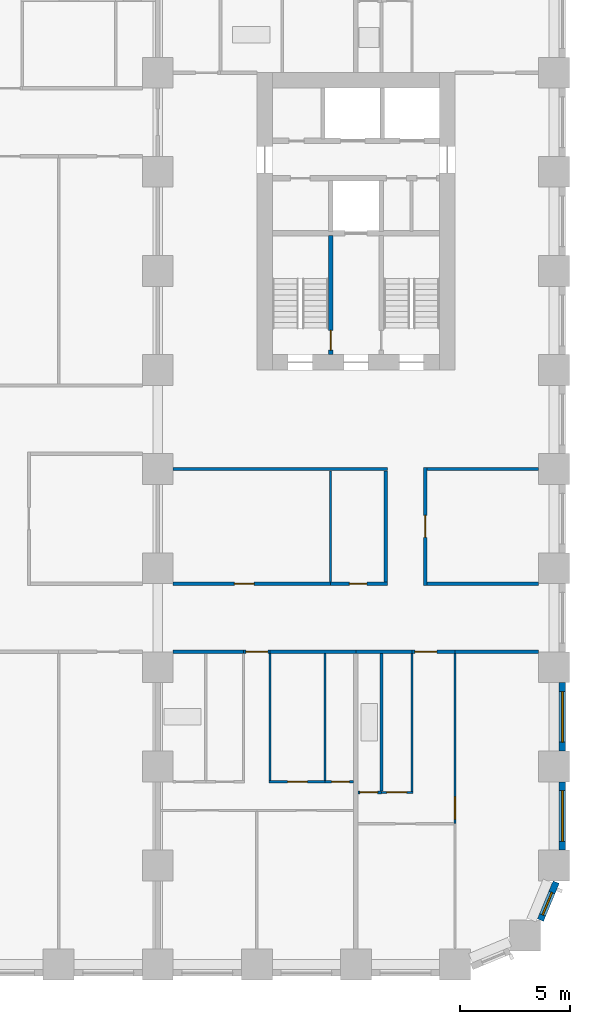
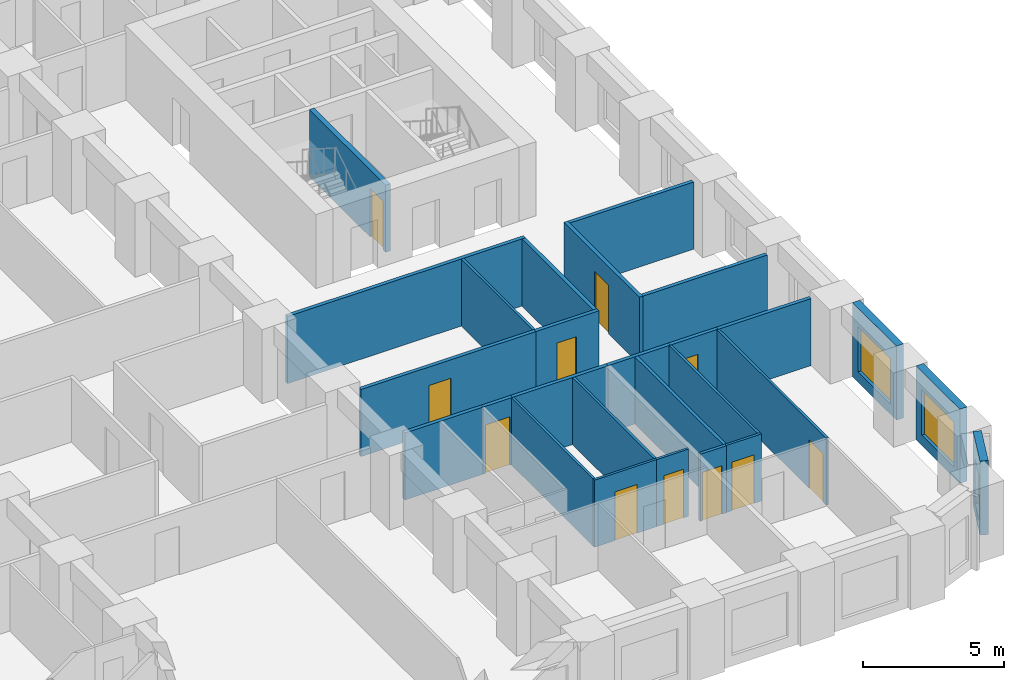
# One storey, part 5 of 13: 27 walls, 11 doors, 3 windows, 14 openings.
"""IFC4 building model written with IfcOpenShell, lengths in metres."""

from ifc_helpers import new_model, si_unit, direction, frame, frame_2d, origin, place, context, subcontext, project, spatial, rectangle, extrude, material, layer, layer_set, type_object, element, fill, save


model = new_model("IFC4")

# Units and contexts
model_context = context("Model", 3, precision=1e-05, world=origin(), true_north=direction((0.0, 1.0)))
body_context = subcontext(model_context, "Body", "Model", "MODEL_VIEW")
ifc_project = project(units=[si_unit("LENGTHUNIT", "METRE"), si_unit("AREAUNIT", "SQUARE_METRE"), si_unit("VOLUMEUNIT", "CUBIC_METRE"), si_unit("PLANEANGLEUNIT", "RADIAN"), si_unit("MASSUNIT", "GRAM", prefix="KILO")], contexts=[model_context])

# Site, building, storey
site_placement = place(None, origin())
site = spatial("IfcSite", under=ifc_project, at=site_placement, CompositionType="ELEMENT")
building_placement = place(site_placement, origin())
building = spatial("IfcBuilding", under=site, at=building_placement, Name="Girih Gate Residences", CompositionType="ELEMENT")
storey_placement = place(building_placement, frame((0.0, 0.0, 56.0)))
storey = spatial("IfcBuildingStorey", under=building, at=storey_placement, Name="L14", CompositionType="ELEMENT", Elevation=56.0)

# Wall
ifc_material_1 = material(Name="Gypsum board on steel studs", Category="steel")
ifc_layer_1 = layer(ifc_material_1, 0.14990234375)
ifc_layer_set_1 = layer_set([ifc_layer_1], Name="Compartment wall 150 mm")
wall_type_1 = type_object("IfcWallType", Name="Compartment wall 150 mm", PredefinedType="PARTITIONING", material=ifc_layer_set_1)
wall_1_placement = place(storey_placement, frame((40.5, 14.199951171875, 0.0), z_axis=(0.0, 0.0, 1.0), x_axis=(1.0, 0.0, 0.0)))
element("IfcWall", 1, at=wall_1_placement, inside=storey, type_object=wall_type_1, Name="L14 partition", PredefinedType="PARTITIONING", context=body_context, shape_type="SweptSolid", body=[
    extrude(rectangle(XDim=2.550048828125, YDim=0.14990234375, at=frame_2d((1.27490234375, 0.0))), origin(), (0.0, 0.0, 1.0), 2.89990234375),
])

# Wall, opening, door
wall_2_placement = place(storey_placement, frame((45.0, 14.199951171875, 0.0), z_axis=(0.0, 0.0, 1.0), x_axis=(-1.0, 0.0, 0.0)))
wall_2 = element("IfcWall", 2, at=wall_2_placement, inside=storey, type_object=wall_type_1, Name="L14 partition", PredefinedType="PARTITIONING", context=body_context, shape_type="SweptSolid", body=[
    extrude(rectangle(XDim=1.949951171875, YDim=0.14990234375, at=frame_2d((0.97509765625, 0.0))), origin(), (0.0, 0.0, 1.0), 2.89990234375),
])
opening_1_placement = place(wall_2_placement, frame((0.820068359375, 0.0, 0.0)))
opening_1 = element("IfcOpeningElement", 3, at=opening_1_placement, cuts=wall_2, Name="Opening A14-021", PredefinedType="OPENING", context=body_context, shape_type="SweptSolid", body=[
    extrude(rectangle(XDim=1.0, YDim=2.10009765625, at=frame_2d((0.5, 1.050048828125))), frame((0.0, 0.0849609375, 0.0), z_axis=(0.0, -1.0, 0.0), x_axis=(1.0, 0.0, 0.0)), (0.0, 0.0, 1.0), 0.169921875),
])
ifc_material_2 = material(Name="Timber, fire-rated core", Category="wood")
door_type_1 = type_object("IfcDoorType", Name="Flat entrance door 1000x2100 FD30S", OperationType="NOTDEFINED", PredefinedType="DOOR", material=ifc_material_2)
door_1_placement = place(opening_1_placement, origin())
door_1 = element("IfcDoor", 4, at=door_1_placement, inside=storey, type_object=door_type_1, Name="Door A14-021", OperationType="SINGLE_SWING_RIGHT", OverallHeight=2.10009765625, OverallWidth=1.0, PredefinedType="DOOR", context=body_context, shape_type="SweptSolid", body=[
    extrude(rectangle(XDim=1.0, YDim=2.10009765625, at=frame_2d((0.5, 1.050048828125))), frame((0.0, 0.02490234375, 0.0), z_axis=(0.0, -1.0, 0.0), x_axis=(1.0, 0.0, 0.0)), (0.0, 0.0, 1.0), 0.050048828125),
])
fill(opening_1, door_1)

# Walls
wall_3_placement = place(storey_placement, frame((45.0, 14.199951171875, 0.0), z_axis=(0.0, 0.0, 1.0), x_axis=(1.0, 0.0, 0.0)))
element("IfcWall", 5, at=wall_3_placement, inside=storey, type_object=wall_type_1, Name="L14 partition", PredefinedType="PARTITIONING", context=body_context, shape_type="SweptSolid", body=[
    extrude(rectangle(XDim=3.800048828125, YDim=0.14990234375, at=frame_2d((1.89990234375, 0.0))), origin(), (0.0, 0.0, 1.0), 2.89990234375),
])
wall_4_placement = place(storey_placement, frame((32.199951171875, 14.199951171875, 0.0), z_axis=(0.0, 0.0, 1.0), x_axis=(1.0, 0.0, 0.0)))
element("IfcWall", 6, at=wall_4_placement, inside=storey, type_object=wall_type_1, Name="L14 partition", PredefinedType="PARTITIONING", context=body_context, shape_type="SweptSolid", body=[
    extrude(rectangle(XDim=3.199951171875, YDim=0.14990234375, at=frame_2d((1.60009765625, 0.0))), origin(), (0.0, 0.0, 1.0), 2.89990234375),
])

# Wall, opening, door
wall_5_placement = place(storey_placement, frame((36.60009765625, 14.199951171875, 0.0), z_axis=(0.0, 0.0, 1.0), x_axis=(-1.0, 0.0, 0.0)))
wall_5 = element("IfcWall", 7, at=wall_5_placement, inside=storey, type_object=wall_type_1, Name="L14 partition", PredefinedType="PARTITIONING", context=body_context, shape_type="SweptSolid", body=[
    extrude(rectangle(XDim=1.2001953125, YDim=0.14990234375, at=frame_2d((0.60009765625, 0.0))), origin(), (0.0, 0.0, 1.0), 2.89990234375),
])
opening_2_placement = place(wall_5_placement, frame((0.10009765625, 0.0, 0.0)))
opening_2 = element("IfcOpeningElement", 8, at=opening_2_placement, cuts=wall_5, Name="Opening A14-028", PredefinedType="OPENING", context=body_context, shape_type="SweptSolid", body=[
    extrude(rectangle(XDim=1.0, YDim=2.10009765625, at=frame_2d((0.5, 1.050048828125))), frame((0.0, 0.0849609375, 0.0), z_axis=(0.0, -1.0, 0.0), x_axis=(1.0, 0.0, 0.0)), (0.0, 0.0, 1.0), 0.169921875),
])
door_2_placement = place(opening_2_placement, origin())
door_2 = element("IfcDoor", 9, at=door_2_placement, inside=storey, type_object=door_type_1, Name="Door A14-028", OperationType="SINGLE_SWING_RIGHT", OverallHeight=2.10009765625, OverallWidth=1.0, PredefinedType="DOOR", context=body_context, shape_type="SweptSolid", body=[
    extrude(rectangle(XDim=1.0, YDim=2.10009765625, at=frame_2d((0.5, 1.050048828125))), frame((0.0, 0.02490234375, 0.0), z_axis=(0.0, -1.0, 0.0), x_axis=(1.0, 0.0, 0.0)), (0.0, 0.0, 1.0), 0.050048828125),
])
fill(opening_2, door_2)

# Wall
wall_6_placement = place(storey_placement, frame((36.60009765625, 14.199951171875, 0.0), z_axis=(0.0, 0.0, 1.0), x_axis=(1.0, 0.0, 0.0)))
element("IfcWall", 10, at=wall_6_placement, inside=storey, type_object=wall_type_1, Name="L14 partition", PredefinedType="PARTITIONING", context=body_context, shape_type="SweptSolid", body=[
    extrude(rectangle(XDim=3.89990234375, YDim=0.14990234375, at=frame_2d((1.949951171875, 0.0))), origin(), (0.0, 0.0, 1.0), 2.89990234375),
])

# Wall, opening, door
wall_7_placement = place(storey_placement, frame((32.199951171875, 17.300048828125, 0.0), z_axis=(0.0, 0.0, 1.0), x_axis=(1.0, 0.0, 0.0)))
wall_7 = element("IfcWall", 11, at=wall_7_placement, inside=storey, type_object=wall_type_1, Name="L14 partition", PredefinedType="PARTITIONING", context=body_context, shape_type="SweptSolid", body=[
    extrude(rectangle(XDim=7.150146484375, YDim=0.14990234375, at=frame_2d((3.5751953125, 0.0))), origin(), (0.0, 0.0, 1.0), 2.89990234375),
])
opening_3_placement = place(wall_7_placement, frame((2.77490234375, 0.0, 0.0)))
opening_3 = element("IfcOpeningElement", 12, at=opening_3_placement, cuts=wall_7, Name="Opening A14-056", PredefinedType="OPENING", context=body_context, shape_type="SweptSolid", body=[
    extrude(rectangle(XDim=0.89990234375, YDim=2.10009765625, at=frame_2d((0.449951171875, 1.050048828125))), frame((0.0, 0.0849609375, 0.0), z_axis=(0.0, -1.0, 0.0), x_axis=(1.0, 0.0, 0.0)), (0.0, 0.0, 1.0), 0.169921875),
])
ifc_material_3 = material(Name="Timber", Category="wood")
door_type_2 = type_object("IfcDoorType", Name="Service room door 900x2100", OperationType="NOTDEFINED", PredefinedType="DOOR", material=ifc_material_3)
door_3_placement = place(opening_3_placement, origin())
door_3 = element("IfcDoor", 13, at=door_3_placement, inside=storey, type_object=door_type_2, Name="Door A14-056", OperationType="SINGLE_SWING_LEFT", OverallHeight=2.10009765625, OverallWidth=0.89990234375, PredefinedType="DOOR", context=body_context, shape_type="SweptSolid", body=[
    extrude(rectangle(XDim=0.89990234375, YDim=2.10009765625, at=frame_2d((0.449951171875, 1.050048828125))), frame((0.0, 0.02490234375, 0.0), z_axis=(0.0, -1.0, 0.0), x_axis=(1.0, 0.0, 0.0)), (0.0, 0.0, 1.0), 0.050048828125),
])
fill(opening_3, door_3)

wall_8_placement = place(storey_placement, frame((39.35009765625, 17.300048828125, 0.0), z_axis=(0.0, 0.0, 1.0), x_axis=(1.0, 0.0, 0.0)))
wall_8 = element("IfcWall", 14, at=wall_8_placement, inside=storey, type_object=wall_type_1, Name="L14 partition", PredefinedType="PARTITIONING", context=body_context, shape_type="SweptSolid", body=[
    extrude(rectangle(XDim=2.574951171875, YDim=0.14990234375, at=frame_2d((1.28759765625, 0.0))), origin(), (0.0, 0.0, 1.0), 2.89990234375),
])
opening_4_placement = place(wall_8_placement, frame((0.85009765625, 0.0, 0.0)))
opening_4 = element("IfcOpeningElement", 15, at=opening_4_placement, cuts=wall_8, Name="Opening A14-058", PredefinedType="OPENING", context=body_context, shape_type="SweptSolid", body=[
    extrude(rectangle(XDim=0.800048828125, YDim=2.10009765625, at=frame_2d((0.39990234375, 1.050048828125))), frame((0.0, 0.0849609375, 0.0), z_axis=(0.0, -1.0, 0.0), x_axis=(1.0, 0.0, 0.0)), (0.0, 0.0, 1.0), 0.169921875),
])
door_type_3 = type_object("IfcDoorType", Name="Bathroom door 800x2100", OperationType="NOTDEFINED", PredefinedType="DOOR", material=ifc_material_3)
door_4_placement = place(opening_4_placement, origin())
door_4 = element("IfcDoor", 16, at=door_4_placement, inside=storey, type_object=door_type_3, Name="Door A14-058", OperationType="SINGLE_SWING_LEFT", OverallHeight=2.10009765625, OverallWidth=0.800048828125, PredefinedType="DOOR", context=body_context, shape_type="SweptSolid", body=[
    extrude(rectangle(XDim=0.800048828125, YDim=2.10009765625, at=frame_2d((0.39990234375, 1.050048828125))), frame((0.0, 0.02490234375, 0.0), z_axis=(0.0, -1.0, 0.0), x_axis=(1.0, 0.0, 0.0)), (0.0, 0.0, 1.0), 0.050048828125),
])
fill(opening_4, door_4)

# Walls
wall_9_placement = place(storey_placement, frame((43.72509765625, 17.300048828125, 0.0), z_axis=(0.0, 0.0, 1.0), x_axis=(1.0, 0.0, 0.0)))
element("IfcWall", 17, at=wall_9_placement, inside=storey, type_object=wall_type_1, Name="L14 partition", PredefinedType="PARTITIONING", context=body_context, shape_type="SweptSolid", body=[
    extrude(rectangle(XDim=5.074951171875, YDim=0.14990234375, at=frame_2d((2.53759765625, 0.0))), origin(), (0.0, 0.0, 1.0), 2.89990234375),
])
wall_10_placement = place(storey_placement, frame((32.199951171875, 22.5, 0.0), z_axis=(0.0, 0.0, 1.0), x_axis=(1.0, 0.0, 0.0)))
element("IfcWall", 18, at=wall_10_placement, inside=storey, type_object=wall_type_1, Name="L14 partition", PredefinedType="PARTITIONING", context=body_context, shape_type="SweptSolid", body=[
    extrude(rectangle(XDim=9.72509765625, YDim=0.14990234375, at=frame_2d((4.862548828125, 0.0))), origin(), (0.0, 0.0, 1.0), 2.89990234375),
])
wall_11_placement = place(storey_placement, frame((43.72509765625, 22.5, 0.0), z_axis=(0.0, 0.0, 1.0), x_axis=(1.0, 0.0, 0.0)))
element("IfcWall", 19, at=wall_11_placement, inside=storey, type_object=wall_type_1, Name="L14 partition", PredefinedType="PARTITIONING", context=body_context, shape_type="SweptSolid", body=[
    extrude(rectangle(XDim=5.074951171875, YDim=0.14990234375, at=frame_2d((2.53759765625, 0.0))), origin(), (0.0, 0.0, 1.0), 2.89990234375),
])
wall_12_placement = place(storey_placement, frame((41.85009765625, 17.375, 0.0), z_axis=(0.0, 0.0, 1.0), x_axis=(0.0, 1.0, 0.0)))
element("IfcWall", 20, at=wall_12_placement, inside=storey, type_object=wall_type_1, Name="L14 partition", PredefinedType="PARTITIONING", context=body_context, shape_type="SweptSolid", body=[
    extrude(rectangle(XDim=5.050048828125, YDim=0.14990234375, at=frame_2d((2.52490234375, 0.0))), origin(), (0.0, 0.0, 1.0), 2.89990234375),
])

# Wall, opening, door
wall_13_placement = place(storey_placement, frame((43.64990234375, 22.574951171875, 0.0), z_axis=(0.0, 0.0, 1.0), x_axis=(0.0, -1.0, 0.0)))
wall_13 = element("IfcWall", 21, at=wall_13_placement, inside=storey, type_object=wall_type_1, Name="L14 partition", PredefinedType="PARTITIONING", context=body_context, shape_type="SweptSolid", body=[
    extrude(rectangle(XDim=5.349853515625, YDim=0.14990234375, at=frame_2d((2.6748046875, 0.0))), origin(), (0.0, 0.0, 1.0), 2.89990234375),
])
opening_5_placement = place(wall_13_placement, frame((2.175048828125, 0.0, 0.0)))
opening_5 = element("IfcOpeningElement", 22, at=opening_5_placement, cuts=wall_13, Name="Opening A14-060", PredefinedType="OPENING", context=body_context, shape_type="SweptSolid", body=[
    extrude(rectangle(XDim=1.0, YDim=2.10009765625, at=frame_2d((0.5, 1.050048828125))), frame((0.0, 0.0849609375, 0.0), z_axis=(0.0, -1.0, 0.0), x_axis=(1.0, 0.0, 0.0)), (0.0, 0.0, 1.0), 0.169921875),
])
door_type_4 = type_object("IfcDoorType", Name="Amenity room door 1000x2100 FD30S", OperationType="NOTDEFINED", PredefinedType="DOOR", material=ifc_material_2)
door_5_placement = place(opening_5_placement, origin())
door_5 = element("IfcDoor", 23, at=door_5_placement, inside=storey, type_object=door_type_4, Name="Door A14-060", OperationType="SINGLE_SWING_RIGHT", OverallHeight=2.10009765625, OverallWidth=1.0, PredefinedType="DOOR", context=body_context, shape_type="SweptSolid", body=[
    extrude(rectangle(XDim=1.0, YDim=2.10009765625, at=frame_2d((0.5, 1.050048828125))), frame((0.0, 0.02490234375, 0.0), z_axis=(0.0, -1.0, 0.0), x_axis=(1.0, 0.0, 0.0)), (0.0, 0.0, 1.0), 0.050048828125),
])
fill(opening_5, door_5)

ifc_layer_2 = layer(ifc_material_1, 0.10009765625)
ifc_layer_set_2 = layer_set([ifc_layer_2], Name="Partition 100 mm")
wall_type_2 = type_object("IfcWallType", Name="Partition 100 mm", PredefinedType="PARTITIONING", material=ifc_layer_set_2)
wall_14_placement = place(storey_placement, frame((41.6591796875, 7.820068359375, 0.0), z_axis=(0.0, 0.0, 1.0), x_axis=(1.0, 0.0, 0.0)))
wall_14 = element("IfcWall", 24, at=wall_14_placement, inside=storey, type_object=wall_type_2, Name="L14 partition", PredefinedType="PARTITIONING", context=body_context, shape_type="SweptSolid", body=[
    extrude(rectangle(XDim=1.44091796875, YDim=0.10009765625, at=frame_2d((0.720458984375, 0.0))), origin(), (0.0, 0.0, 1.0), 2.89990234375),
])
opening_6_placement = place(wall_14_placement, frame((0.24560546875, 0.0, 0.0)))
opening_6 = element("IfcOpeningElement", 25, at=opening_6_placement, cuts=wall_14, Name="Opening A14-019", PredefinedType="OPENING", context=body_context, shape_type="SweptSolid", body=[
    extrude(rectangle(XDim=0.89990234375, YDim=2.10009765625, at=frame_2d((0.449951171875, 1.050048828125))), frame((0.0, 0.06005859375, 0.0), z_axis=(0.0, -1.0, 0.0), x_axis=(1.0, 0.0, 0.0)), (0.0, 0.0, 1.0), 0.1201171875),
])
door_type_5 = type_object("IfcDoorType", Name="Kitchen door 900x2100", OperationType="NOTDEFINED", PredefinedType="DOOR", material=ifc_material_3)
door_6_placement = place(opening_6_placement, origin())
door_6 = element("IfcDoor", 26, at=door_6_placement, inside=storey, type_object=door_type_5, Name="Door A14-019", OperationType="SINGLE_SWING_LEFT", OverallHeight=2.10009765625, OverallWidth=0.89990234375, PredefinedType="DOOR", context=body_context, shape_type="SweptSolid", body=[
    extrude(rectangle(XDim=0.89990234375, YDim=2.10009765625, at=frame_2d((0.449951171875, 1.050048828125))), frame((0.0, 0.02490234375, 0.0), z_axis=(0.0, -1.0, 0.0), x_axis=(1.0, 0.0, 0.0)), (0.0, 0.0, 1.0), 0.050048828125),
])
fill(opening_6, door_6)

# Wall
wall_15_placement = place(storey_placement, frame((43.050048828125, 7.8701171875, 0.0), z_axis=(0.0, 0.0, 1.0), x_axis=(0.0, 1.0, 0.0)))
element("IfcWall", 27, at=wall_15_placement, inside=storey, type_object=wall_type_2, Name="L14 partition", PredefinedType="PARTITIONING", context=body_context, shape_type="SweptSolid", body=[
    extrude(rectangle(XDim=6.2548828125, YDim=0.10009765625, at=frame_2d((3.12744140625, 0.0))), origin(), (0.0, 0.0, 1.0), 2.89990234375),
])

# Wall, opening, door
wall_16_placement = place(storey_placement, frame((45.0, 14.125, 0.0), z_axis=(0.0, 0.0, 1.0), x_axis=(0.0, -1.0, 0.0)))
wall_16 = element("IfcWall", 28, at=wall_16_placement, inside=storey, type_object=wall_type_2, Name="L14 partition", PredefinedType="PARTITIONING", context=body_context, shape_type="SweptSolid", body=[
    extrude(rectangle(XDim=7.72509765625, YDim=0.10009765625, at=frame_2d((3.862548828125, 0.0))), origin(), (0.0, 0.0, 1.0), 2.89990234375),
])
opening_7_placement = place(wall_16_placement, frame((6.514892578125, 0.0, 0.0)))
opening_7 = element("IfcOpeningElement", 29, at=opening_7_placement, cuts=wall_16, Name="Opening A14-020", PredefinedType="OPENING", context=body_context, shape_type="SweptSolid", body=[
    extrude(rectangle(XDim=1.0, YDim=2.10009765625, at=frame_2d((0.5, 1.050048828125))), frame((0.0, 0.06005859375, 0.0), z_axis=(0.0, -1.0, 0.0), x_axis=(1.0, 0.0, 0.0)), (0.0, 0.0, 1.0), 0.1201171875),
])
door_type_6 = type_object("IfcDoorType", Name="Living room door 1000x2100", OperationType="NOTDEFINED", PredefinedType="DOOR", material=ifc_material_3)
door_7_placement = place(opening_7_placement, origin())
door_7 = element("IfcDoor", 30, at=door_7_placement, inside=storey, type_object=door_type_6, Name="Door A14-020", OperationType="SINGLE_SWING_RIGHT", OverallHeight=2.10009765625, OverallWidth=1.0, PredefinedType="DOOR", context=body_context, shape_type="SweptSolid", body=[
    extrude(rectangle(XDim=1.0, YDim=2.10009765625, at=frame_2d((0.5, 1.050048828125))), frame((0.0, 0.02490234375, 0.0), z_axis=(0.0, -1.0, 0.0), x_axis=(1.0, 0.0, 0.0)), (0.0, 0.0, 1.0), 0.050048828125),
])
fill(opening_7, door_7)

# Wall
wall_17_placement = place(storey_placement, frame((36.60009765625, 8.35009765625, 0.0), z_axis=(0.0, 0.0, 1.0), x_axis=(0.0, 1.0, 0.0)))
element("IfcWall", 31, at=wall_17_placement, inside=storey, type_object=wall_type_2, Name="L14 partition", PredefinedType="PARTITIONING", context=body_context, shape_type="SweptSolid", body=[
    extrude(rectangle(XDim=5.77490234375, YDim=0.10009765625, at=frame_2d((2.887451171875, 0.0))), origin(), (0.0, 0.0, 1.0), 2.89990234375),
])

# Wall, opening, door
wall_18_placement = place(storey_placement, frame((36.550048828125, 8.300048828125, 0.0), z_axis=(0.0, 0.0, 1.0), x_axis=(1.0, 0.0, 0.0)))
wall_18 = element("IfcWall", 32, at=wall_18_placement, inside=storey, type_object=wall_type_2, Name="L14 partition", PredefinedType="PARTITIONING", context=body_context, shape_type="SweptSolid", body=[
    extrude(rectangle(XDim=2.54931640625, YDim=0.10009765625, at=frame_2d((1.274658203125, 0.0))), origin(), (0.0, 0.0, 1.0), 2.89990234375),
])
opening_8_placement = place(wall_18_placement, frame((0.849609375, 0.0, 0.0)))
opening_8 = element("IfcOpeningElement", 33, at=opening_8_placement, cuts=wall_18, Name="Opening A14-024", PredefinedType="OPENING", context=body_context, shape_type="SweptSolid", body=[
    extrude(rectangle(XDim=0.89990234375, YDim=2.10009765625, at=frame_2d((0.449951171875, 1.050048828125))), frame((0.0, 0.06005859375, 0.0), z_axis=(0.0, -1.0, 0.0), x_axis=(1.0, 0.0, 0.0)), (0.0, 0.0, 1.0), 0.1201171875),
])
door_8_placement = place(opening_8_placement, origin())
door_8 = element("IfcDoor", 34, at=door_8_placement, inside=storey, type_object=door_type_5, Name="Door A14-024", OperationType="SINGLE_SWING_RIGHT", OverallHeight=2.10009765625, OverallWidth=0.89990234375, PredefinedType="DOOR", context=body_context, shape_type="SweptSolid", body=[
    extrude(rectangle(XDim=0.89990234375, YDim=2.10009765625, at=frame_2d((0.449951171875, 1.050048828125))), frame((0.0, 0.02490234375, 0.0), z_axis=(0.0, -1.0, 0.0), x_axis=(1.0, 0.0, 0.0)), (0.0, 0.0, 1.0), 0.050048828125),
])
fill(opening_8, door_8)

wall_19_placement = place(storey_placement, frame((39.099365234375, 8.300048828125, 0.0), z_axis=(0.0, 0.0, 1.0), x_axis=(1.0, 0.0, 0.0)))
wall_19 = element("IfcWall", 35, at=wall_19_placement, inside=storey, type_object=wall_type_2, Name="L14 partition", PredefinedType="PARTITIONING", context=body_context, shape_type="SweptSolid", body=[
    extrude(rectangle(XDim=1.300537109375, YDim=0.10009765625, at=frame_2d((0.650390625, 0.0))), origin(), (0.0, 0.0, 1.0), 2.89990234375),
])
opening_9_placement = place(wall_19_placement, frame((0.30029296875, 0.0, 0.0)))
opening_9 = element("IfcOpeningElement", 36, at=opening_9_placement, cuts=wall_19, Name="Opening A14-026", PredefinedType="OPENING", context=body_context, shape_type="SweptSolid", body=[
    extrude(rectangle(XDim=0.800048828125, YDim=2.10009765625, at=frame_2d((0.39990234375, 1.050048828125))), frame((0.0, 0.06005859375, 0.0), z_axis=(0.0, -1.0, 0.0), x_axis=(1.0, 0.0, 0.0)), (0.0, 0.0, 1.0), 0.1201171875),
])
door_type_7 = type_object("IfcDoorType", Name="Store door 800x2100", OperationType="NOTDEFINED", PredefinedType="DOOR", material=ifc_material_3)
door_9_placement = place(opening_9_placement, origin())
door_9 = element("IfcDoor", 37, at=door_9_placement, inside=storey, type_object=door_type_7, Name="Door A14-026", OperationType="SINGLE_SWING_RIGHT", OverallHeight=2.10009765625, OverallWidth=0.800048828125, PredefinedType="DOOR", context=body_context, shape_type="SweptSolid", body=[
    extrude(rectangle(XDim=0.800048828125, YDim=2.10009765625, at=frame_2d((0.39990234375, 1.050048828125))), frame((0.0, 0.02490234375, 0.0), z_axis=(0.0, -1.0, 0.0), x_axis=(1.0, 0.0, 0.0)), (0.0, 0.0, 1.0), 0.050048828125),
])
fill(opening_9, door_9)

# Walls
wall_20_placement = place(storey_placement, frame((39.09912109375, 8.35009765625, 0.0), z_axis=(0.0, 0.0, 1.0), x_axis=(0.0, 1.0, 0.0)))
element("IfcWall", 38, at=wall_20_placement, inside=storey, type_object=wall_type_2, Name="L14 partition", PredefinedType="PARTITIONING", context=body_context, shape_type="SweptSolid", body=[
    extrude(rectangle(XDim=5.77490234375, YDim=0.10009765625, at=frame_2d((2.887451171875, 0.0))), origin(), (0.0, 0.0, 1.0), 2.89990234375),
])
wall_21_placement = place(storey_placement, frame((39.35009765625, 17.375, 0.0), z_axis=(0.0, 0.0, 1.0), x_axis=(0.0, 1.0, 0.0)))
element("IfcWall", 39, at=wall_21_placement, inside=storey, type_object=wall_type_2, Name="L14 partition", PredefinedType="PARTITIONING", context=body_context, shape_type="SweptSolid", body=[
    extrude(rectangle(XDim=5.050048828125, YDim=0.10009765625, at=frame_2d((2.52490234375, 0.0))), origin(), (0.0, 0.0, 1.0), 2.89990234375),
])

# Wall, opening, window
ifc_material_4 = material(Name="Precast concrete C50/60", Category="concrete")
ifc_layer_3 = layer(ifc_material_4, 0.080078125, Name="Outer leaf")
ifc_material_5 = material(Name="Rigid PIR insulation")
ifc_layer_4 = layer(ifc_material_5, 0.14990234375, Name="Insulation")
ifc_material_6 = material(Name="Precast concrete C40/50", Category="concrete")
ifc_layer_5 = layer(ifc_material_6, 0.070068359375, Name="Inner leaf")
ifc_layer_set_3 = layer_set([ifc_layer_3, ifc_layer_4, ifc_layer_5], Name="Precast concrete C50/60 external wall 300")
wall_type_3 = type_object("IfcWallType", Name="Precast concrete C50/60 external wall 300", PredefinedType="SOLIDWALL", material=ifc_layer_set_3)
wall_22_placement = place(storey_placement, frame((49.59228515625, 3.74267578125, 0.0), z_axis=(0.0, 0.0, 1.0), x_axis=(-0.382737135771, -0.923857286003, 0.0)))
wall_22 = element("IfcWall", 40, at=wall_22_placement, inside=storey, type_object=wall_type_3, Name="External wall SE0482_0013.0", PredefinedType="SOLIDWALL", context=body_context, shape_type="SweptSolid", body=[
    extrude(rectangle(XDim=1.865234375, YDim=0.300048828125, at=frame_2d((0.9326171875, 0.0))), origin(), (0.0, 0.0, 1.0), 3.199951171875),
])
opening_10_placement = place(wall_22_placement, frame((0.507568359375, 0.0, 0.449951171875)))
opening_10 = element("IfcOpeningElement", 41, at=opening_10_placement, cuts=wall_22, Name="Opening W-2C", PredefinedType="OPENING", context=body_context, shape_type="SweptSolid", body=[
    extrude(rectangle(XDim=1.10009765625, YDim=1.949951171875, at=frame_2d((0.550048828125, 0.97509765625))), frame((0.0, 0.159912109375, 0.0), z_axis=(0.0, -1.0, 0.0), x_axis=(1.0, 0.0, 0.0)), (0.0, 0.0, 1.0), 0.320068359375),
])
ifc_material_7 = material(Name="Double glazing in aluminium frame", Category="aluminium")
window_type_1 = type_object("IfcWindowType", Name="Window W-2C 1100x1950", PartitioningType="SINGLE_PANEL", PredefinedType="WINDOW", material=ifc_material_7)
window_1_placement = place(opening_10_placement, origin())
window_1 = element("IfcWindow", 42, at=window_1_placement, inside=storey, type_object=window_type_1, Name="Window W-2C SE0482_0013.0", OverallHeight=1.949951171875, OverallWidth=1.10009765625, PartitioningType="SINGLE_PANEL", PredefinedType="WINDOW", context=body_context, shape_type="SweptSolid", body=[
    extrude(rectangle(XDim=1.10009765625, YDim=1.949951171875, at=frame_2d((0.550048828125, 0.97509765625))), frame((0.0, 0.030029296875, 0.0), z_axis=(0.0, -1.0, 0.0), x_axis=(1.0, 0.0, 0.0)), (0.0, 0.0, 1.0), 0.06005859375),
])
fill(opening_10, window_1)

wall_23_placement = place(storey_placement, frame((49.875, 8.300048828125, 0.0), z_axis=(0.0, 0.0, 1.0), x_axis=(0.0, -1.0, 0.0)))
wall_23 = element("IfcWall", 43, at=wall_23_placement, inside=storey, type_object=wall_type_3, Name="External wall E0495_0045.0", PredefinedType="SOLIDWALL", context=body_context, shape_type="SweptSolid", body=[
    extrude(rectangle(XDim=3.10009765625, YDim=0.300048828125, at=frame_2d((1.550048828125, 0.0))), origin(), (0.0, 0.0, 1.0), 3.199951171875),
])
opening_11_placement = place(wall_23_placement, frame((0.39990234375, 0.0, 0.449951171875)))
opening_11 = element("IfcOpeningElement", 44, at=opening_11_placement, cuts=wall_23, Name="Opening W-1", PredefinedType="OPENING", context=body_context, shape_type="SweptSolid", body=[
    extrude(rectangle(XDim=2.300048828125, YDim=1.949951171875, at=frame_2d((1.14990234375, 0.97509765625))), frame((0.0, 0.159912109375, 0.0), z_axis=(0.0, -1.0, 0.0), x_axis=(1.0, 0.0, 0.0)), (0.0, 0.0, 1.0), 0.320068359375),
])
window_type_2 = type_object("IfcWindowType", Name="Window W-1 2300x1950", PartitioningType="SINGLE_PANEL", PredefinedType="WINDOW", material=ifc_material_7)
window_2_placement = place(opening_11_placement, origin())
window_2 = element("IfcWindow", 45, at=window_2_placement, inside=storey, type_object=window_type_2, Name="Window W-1 E0495_0045.0", OverallHeight=1.949951171875, OverallWidth=2.300048828125, PartitioningType="SINGLE_PANEL", PredefinedType="WINDOW", context=body_context, shape_type="SweptSolid", body=[
    extrude(rectangle(XDim=2.300048828125, YDim=1.949951171875, at=frame_2d((1.14990234375, 0.97509765625))), frame((0.0, 0.030029296875, 0.0), z_axis=(0.0, -1.0, 0.0), x_axis=(1.0, 0.0, 0.0)), (0.0, 0.0, 1.0), 0.06005859375),
])
fill(opening_11, window_2)

wall_24_placement = place(storey_placement, frame((49.875, 12.800048828125, 0.0), z_axis=(0.0, 0.0, 1.0), x_axis=(0.0, -1.0, 0.0)))
wall_24 = element("IfcWall", 46, at=wall_24_placement, inside=storey, type_object=wall_type_3, Name="External wall E0495_0045.1", PredefinedType="SOLIDWALL", context=body_context, shape_type="SweptSolid", body=[
    extrude(rectangle(XDim=3.10009765625, YDim=0.300048828125, at=frame_2d((1.550048828125, 0.0))), origin(), (0.0, 0.0, 1.0), 3.199951171875),
])
opening_12_placement = place(wall_24_placement, frame((0.39990234375, 0.0, 0.449951171875)))
opening_12 = element("IfcOpeningElement", 47, at=opening_12_placement, cuts=wall_24, Name="Opening W-1", PredefinedType="OPENING", context=body_context, shape_type="SweptSolid", body=[
    extrude(rectangle(XDim=2.300048828125, YDim=1.949951171875, at=frame_2d((1.14990234375, 0.97509765625))), frame((0.0, 0.159912109375, 0.0), z_axis=(0.0, -1.0, 0.0), x_axis=(1.0, 0.0, 0.0)), (0.0, 0.0, 1.0), 0.320068359375),
])
window_3_placement = place(opening_12_placement, origin())
window_3 = element("IfcWindow", 48, at=window_3_placement, inside=storey, type_object=window_type_2, Name="Window W-1 E0495_0045.1", OverallHeight=1.949951171875, OverallWidth=2.300048828125, PartitioningType="SINGLE_PANEL", PredefinedType="WINDOW", context=body_context, shape_type="SweptSolid", body=[
    extrude(rectangle(XDim=2.300048828125, YDim=1.949951171875, at=frame_2d((1.14990234375, 0.97509765625))), frame((0.0, 0.030029296875, 0.0), z_axis=(0.0, -1.0, 0.0), x_axis=(1.0, 0.0, 0.0)), (0.0, 0.0, 1.0), 0.06005859375),
])
fill(opening_12, window_3)

# Wall, opening, door
ifc_material_8 = material(Name="Concrete C40/50", Category="concrete")
ifc_layer_6 = layer(ifc_material_8, 0.199951171875)
ifc_layer_set_4 = layer_set([ifc_layer_6], Name="Shaft wall 200")
wall_type_4 = type_object("IfcWallType", Name="Shaft wall 200", PredefinedType="SOLIDWALL", material=ifc_layer_set_4)
wall_25_placement = place(storey_placement, frame((39.35009765625, 27.699951171875, 0.0), z_axis=(0.0, 0.0, 1.0), x_axis=(0.0, 1.0, 0.0)))
wall_25 = element("IfcWall", 49, at=wall_25_placement, inside=storey, type_object=wall_type_4, Name="L14 E core wall V2a", PredefinedType="SOLIDWALL", context=body_context, shape_type="SweptSolid", body=[
    extrude(rectangle(XDim=5.400146484375, YDim=0.199951171875, at=frame_2d((2.7001953125, 0.0))), origin(), (0.0, 0.0, 1.0), 2.89990234375),
])
opening_13_placement = place(wall_25_placement, frame((0.199951171875, 0.0, 0.0)))
opening_13 = element("IfcOpeningElement", 50, at=opening_13_placement, cuts=wall_25, Name="Opening D-L14-E-002", PredefinedType="OPENING", context=body_context, shape_type="SweptSolid", body=[
    extrude(rectangle(XDim=0.89990234375, YDim=2.10009765625, at=frame_2d((0.449951171875, 1.050048828125))), frame((0.0, 0.10986328125, 0.0), z_axis=(0.0, -1.0, 0.0), x_axis=(1.0, 0.0, 0.0)), (0.0, 0.0, 1.0), 0.219970703125),
])
ifc_material_9 = material(Name="Painted steel, fire-resisting", Category="steel")
door_type_8 = type_object("IfcDoorType", Name="Fire door 900x2100", OperationType="SINGLE_SWING_LEFT", PredefinedType="DOOR", material=ifc_material_9)
door_10_placement = place(opening_13_placement, origin())
door_10 = element("IfcDoor", 51, at=door_10_placement, inside=storey, type_object=door_type_8, Name="L14 E door stair 2 to firefighting lobby", OperationType="SINGLE_SWING_LEFT", OverallHeight=2.10009765625, OverallWidth=0.89990234375, PredefinedType="DOOR", context=body_context, shape_type="SweptSolid", body=[
    extrude(rectangle(XDim=0.89990234375, YDim=2.10009765625, at=frame_2d((0.449951171875, 1.050048828125))), frame((0.0, 0.02490234375, 0.0), z_axis=(0.0, -1.0, 0.0), x_axis=(1.0, 0.0, 0.0)), (0.0, 0.0, 1.0), 0.050048828125),
])
fill(opening_13, door_10)

ifc_layer_7 = layer(ifc_material_1, 0.125)
ifc_layer_set_5 = layer_set([ifc_layer_7], Name="Wet room wall 125 mm")
wall_type_5 = type_object("IfcWallType", Name="Wet room wall 125 mm", PredefinedType="PARTITIONING", material=ifc_layer_set_5)
wall_26_placement = place(storey_placement, frame((40.60009765625, 7.820068359375, 0.0), z_axis=(0.0, 0.0, 1.0), x_axis=(1.0, 0.0, 0.0)))
wall_26 = element("IfcWall", 52, at=wall_26_placement, inside=storey, type_object=wall_type_5, Name="L14 partition", PredefinedType="PARTITIONING", context=body_context, shape_type="SweptSolid", body=[
    extrude(rectangle(XDim=1.05908203125, YDim=0.125, at=frame_2d((0.529541015625, 0.0))), origin(), (0.0, 0.0, 1.0), 2.89990234375),
])
opening_14_placement = place(wall_26_placement, frame((0.07958984375, 0.0, 0.0)))
opening_14 = element("IfcOpeningElement", 53, at=opening_14_placement, cuts=wall_26, Name="Opening A14-017", PredefinedType="OPENING", context=body_context, shape_type="SweptSolid", body=[
    extrude(rectangle(XDim=0.800048828125, YDim=2.10009765625, at=frame_2d((0.39990234375, 1.050048828125))), frame((0.0, 0.072509765625, 0.0), z_axis=(0.0, -1.0, 0.0), x_axis=(1.0, 0.0, 0.0)), (0.0, 0.0, 1.0), 0.14501953125),
])
door_11_placement = place(opening_14_placement, origin())
door_11 = element("IfcDoor", 54, at=door_11_placement, inside=storey, type_object=door_type_3, Name="Door A14-017", OperationType="SINGLE_SWING_LEFT", OverallHeight=2.10009765625, OverallWidth=0.800048828125, PredefinedType="DOOR", context=body_context, shape_type="SweptSolid", body=[
    extrude(rectangle(XDim=0.800048828125, YDim=2.10009765625, at=frame_2d((0.39990234375, 1.050048828125))), frame((0.0, 0.02490234375, 0.0), z_axis=(0.0, -1.0, 0.0), x_axis=(1.0, 0.0, 0.0)), (0.0, 0.0, 1.0), 0.050048828125),
])
fill(opening_14, door_11)

# Wall
wall_27_placement = place(storey_placement, frame((41.658935546875, 7.882568359375, 0.0), z_axis=(0.0, 0.0, 1.0), x_axis=(0.0, 1.0, 0.0)))
element("IfcWall", 55, at=wall_27_placement, inside=storey, type_object=wall_type_5, Name="L14 partition", PredefinedType="PARTITIONING", context=body_context, shape_type="SweptSolid", body=[
    extrude(rectangle(XDim=6.242431640625, YDim=0.125, at=frame_2d((3.12109375, 0.0))), origin(), (0.0, 0.0, 1.0), 2.89990234375),
])

save(model, "model.ifc")
